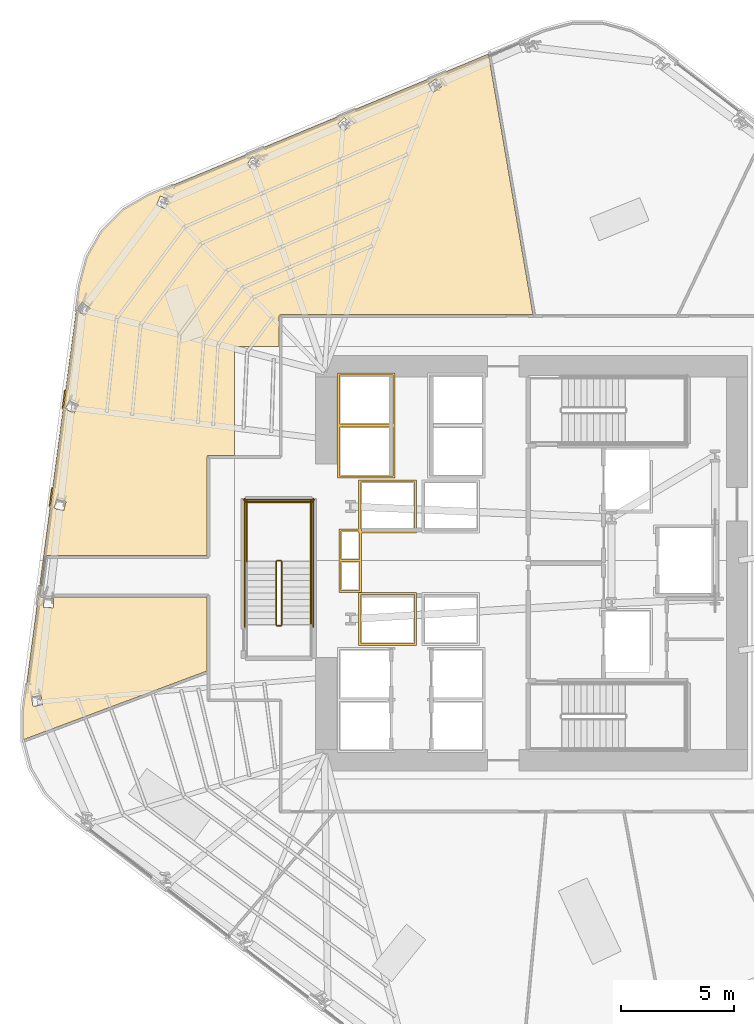
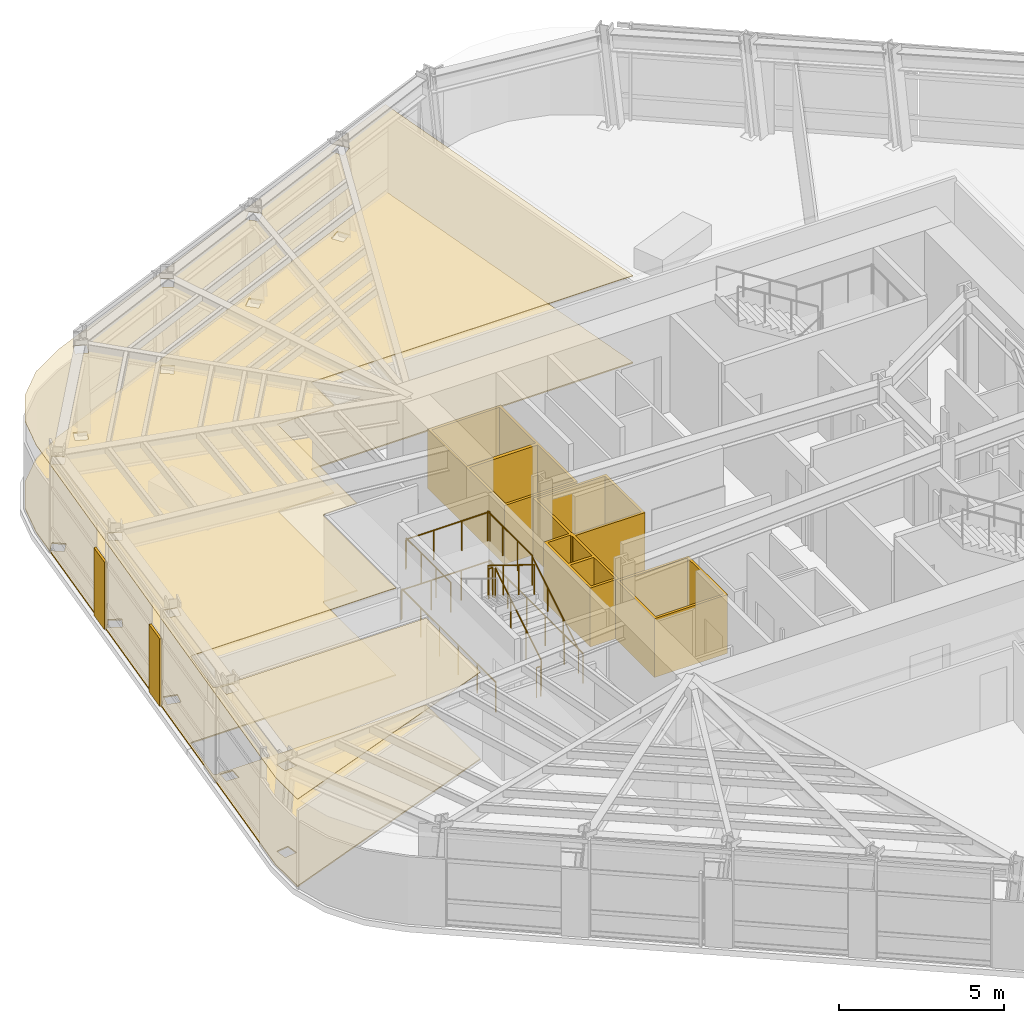
# One storey, part 13 of 18: 11 railings, 7 coverings.
"""IFC4 building model written with IfcOpenShell, lengths in metres."""

from ifc_helpers import new_model, si_unit, direction, frame, origin, origin_2d, place, context, subcontext, project, spatial, polyline, circle, outline, extrude, material, layer, layer_set, type_object, element, save


model = new_model("IFC4")

# Units and contexts
model_context = context("Model", 3, precision=1e-05, world=origin(), true_north=direction((0.0, 1.0)))
body_context = subcontext(model_context, "Body", "Model", "MODEL_VIEW")
ifc_project = project(units=[si_unit("LENGTHUNIT", "METRE"), si_unit("AREAUNIT", "SQUARE_METRE"), si_unit("VOLUMEUNIT", "CUBIC_METRE"), si_unit("PLANEANGLEUNIT", "RADIAN"), si_unit("MASSUNIT", "GRAM", prefix="KILO")], contexts=[model_context])

# Site, building, storey
site_placement = place(None, origin())
site = spatial("IfcSite", under=ifc_project, at=site_placement, CompositionType="ELEMENT")
building_placement = place(site_placement, origin())
building = spatial("IfcBuilding", under=site, at=building_placement, Name="Valkerne Bourse Tower", CompositionType="ELEMENT")
storey_placement = place(building_placement, frame((0.0, 0.0, 120.0)))
storey = spatial("IfcBuildingStorey", under=building, at=storey_placement, Name="L30", CompositionType="ELEMENT", Elevation=120.0)

# Coverings
ifc_material_1 = material(Name="Mineral Fiber Acoustic Ceiling Tile", Category="acoustic")
ifc_layer_1 = layer(ifc_material_1, 0.02490234375)
ifc_layer_set_1 = layer_set([ifc_layer_1], Name="Mineral Fiber Acoustic Ceiling Tile")
covering_type_1 = type_object("IfcCoveringType", Name="COV-CEIL-ACT", PredefinedType="CEILING", material=ifc_layer_set_1)
covering_1_placement = place(storey_placement, frame((0.0, 0.0, 3.22998046875)))
element("IfcCovering", 1, at=covering_1_placement, inside=storey, type_object=covering_type_1, Name="L30 Suspended Ceiling 11", PredefinedType="CEILING", context=body_context, shape_type="SweptSolid", body=[
    extrude(outline(polyline([(26.7158203125, 39.21435546875), (27.059814453125, 40.498046875), (27.719482421875, 41.640869140625), (28.652587890625, 42.573974609375), (29.8037109375, 43.238525390625), (44.881591796875, 49.502685546875), (46.86181640625, 37.9189453125), (35.6494140625, 37.9189453125), (35.6083984375, 37.9052734375), (35.587890625, 37.8798828125), (35.5810546875, 37.8505859375), (35.5810546875, 36.5), (33.60009765625, 36.5), (33.60009765625, 31.6689453125), (32.449462890625, 31.6689453125), (32.419921875, 31.662109375), (32.39404296875, 31.640625), (32.381103515625, 31.6005859375), (32.381103515625, 27.218994140625), (25.2509765625, 27.218994140625), (25.20654296875, 27.202392578125), (25.18408203125, 27.163330078125), (24.957275390625, 25.45556640625), (24.969482421875, 25.41015625), (25.00927734375, 25.3828125), (25.135009765625, 25.383056640625), (25.1640625, 25.3984375), (25.181640625, 25.42529296875), (25.523193359375, 25.381103515625), (32.381103515625, 25.381103515625), (32.381103515625, 22.094970703125), (24.22265625, 19.042724609375), (24.21728515625, 19.06201171875), (24.21728515625, 20.39111328125), (26.7158203125, 39.21435546875)]), holes=[polyline([(25.01611328125, 21.000244140625), (25.01513671875, 21.00341796875), (24.58740234375, 20.94287109375), (24.64501953125, 20.53173828125), (24.64599609375, 20.528564453125), (25.07373046875, 20.589111328125), (25.01611328125, 21.000244140625)]), polyline([(25.5703125, 25.317138671875), (25.138671875, 25.338134765625), (25.1181640625, 24.92333984375), (25.118408203125, 24.920166015625), (25.550048828125, 24.8994140625), (25.570556640625, 25.314208984375), (25.5703125, 25.317138671875)]), polyline([(26.119140625, 29.61669921875), (26.11962890625, 29.619873046875), (25.701171875, 29.728271484375), (25.5966796875, 29.326171875), (25.59619140625, 29.3232421875), (26.0146484375, 29.21484375), (26.119140625, 29.61669921875)]), polyline([(26.657958984375, 33.916015625), (26.2705078125, 34.107421875), (26.086181640625, 33.735107421875), (26.085205078125, 33.732177734375), (26.472900390625, 33.541015625), (26.656982421875, 33.9130859375), (26.657958984375, 33.916015625)]), polyline([(27.183837890625, 38.21337890625), (26.839111328125, 38.47412109375), (26.58837890625, 38.143310546875), (26.5869140625, 38.140380859375), (26.931396484375, 37.8798828125), (27.18212890625, 38.210693359375), (27.183837890625, 38.21337890625)]), polyline([(30.69091796875, 43.03173828125), (30.304931640625, 43.1884765625), (30.302490234375, 43.18603515625), (30.14208984375, 42.78662109375), (30.528076171875, 42.6298828125), (30.530517578125, 42.63232421875), (30.69091796875, 43.03173828125)]), polyline([(34.502685546875, 44.34716796875), (34.735595703125, 44.70947265625), (34.3857421875, 44.935791015625), (34.383056640625, 44.93408203125), (34.150146484375, 44.57177734375), (34.5, 44.345458984375), (34.502685546875, 44.34716796875)]), polyline([(38.468017578125, 46.07275390625), (38.77001953125, 46.3798828125), (38.473388671875, 46.6728515625), (38.470703125, 46.671630859375), (38.168701171875, 46.3642578125), (38.46533203125, 46.071533203125), (38.468017578125, 46.07275390625)]), polyline([(42.79150390625, 48.05029296875), (42.560791015625, 48.397216796875), (42.557861328125, 48.396484375), (42.19970703125, 48.156982421875), (42.430419921875, 47.81005859375), (42.43359375, 47.810791015625), (42.79150390625, 48.05029296875)])]), origin(), (0.0, 0.0, 1.0), 0.02490234375),
])
ifc_material_2 = material(Name="Bronze Anodised Aluminium AA 6063-T6", Category="aluminium")
ifc_layer_2 = layer(ifc_material_2, 0.06005859375)
ifc_layer_set_2 = layer_set([ifc_layer_2], Name="Bronze Anodised Aluminium AA 6063-T6")
covering_type_2 = type_object("IfcCoveringType", Name="COV-CRN-ALUM", PredefinedType="CLADDING", material=ifc_layer_set_2)
covering_2_placement = place(storey_placement, origin())
element("IfcCovering", 2, at=covering_2_placement, inside=storey, type_object=covering_type_2, Name="L30 Wind-Shaped Corner Aluminium Cladding 11", PredefinedType="CLADDING", context=body_context, shape_type="SweptSolid", body=[
    extrude(outline(polyline([(25.47900390625, 30.230712890625), (25.558349609375, 30.22021484375), (25.44775390625, 29.387451171875), (25.368408203125, 29.39794921875), (25.47900390625, 30.230712890625)])), origin(), (0.0, 0.0, 1.0), 2.5),
])
covering_3_placement = place(storey_placement, origin())
element("IfcCovering", 3, at=covering_3_placement, inside=storey, type_object=covering_type_2, Name="L30 Wind-Shaped Corner Aluminium Cladding 12", PredefinedType="CLADDING", context=body_context, shape_type="SweptSolid", body=[
    extrude(outline(polyline([(26.0556640625, 34.575439453125), (26.135009765625, 34.56494140625), (26.0244140625, 33.732421875), (25.9453125, 33.742919921875), (26.0556640625, 34.575439453125)])), origin(), (0.0, 0.0, 1.0), 2.5),
])
ifc_material_3 = material(Name="Galvanised Painted Steel", Category="steel")
ifc_layer_3 = layer(ifc_material_3, 0.044921875)
ifc_layer_set_3 = layer_set([ifc_layer_3], Name="Galvanised Painted Steel")
covering_type_3 = type_object("IfcCoveringType", Name="COV-FLR-RAF", PredefinedType="FLOORING", material=ifc_layer_set_3)
covering_4_placement = place(storey_placement, origin())
element("IfcCovering", 4, at=covering_4_placement, inside=storey, type_object=covering_type_3, Name="L30 Floor Finish 11", PredefinedType="FLOORING", context=body_context, shape_type="SweptSolid", body=[
    extrude(outline(polyline([(26.7158203125, 39.21435546875), (27.059814453125, 40.498046875), (27.719482421875, 41.640869140625), (28.652587890625, 42.573974609375), (29.8037109375, 43.238525390625), (44.881591796875, 49.502685546875), (46.86181640625, 37.9189453125), (35.6494140625, 37.9189453125), (35.6083984375, 37.9052734375), (35.587890625, 37.8798828125), (35.5810546875, 37.8505859375), (35.5810546875, 36.5), (33.60009765625, 36.5), (33.60009765625, 31.6689453125), (32.449462890625, 31.6689453125), (32.419921875, 31.662109375), (32.39404296875, 31.640625), (32.381103515625, 31.6005859375), (32.381103515625, 27.218994140625), (25.2509765625, 27.218994140625), (25.20654296875, 27.202392578125), (25.18408203125, 27.163330078125), (24.957275390625, 25.45556640625), (24.969482421875, 25.41015625), (25.00927734375, 25.3828125), (25.135009765625, 25.383056640625), (25.1640625, 25.3984375), (25.181640625, 25.42529296875), (25.523193359375, 25.381103515625), (32.381103515625, 25.381103515625), (32.381103515625, 22.094970703125), (24.22265625, 19.042724609375), (24.21728515625, 19.06201171875), (24.21728515625, 20.39111328125), (26.7158203125, 39.21435546875)]), holes=[polyline([(25.01611328125, 21.000244140625), (25.01513671875, 21.00341796875), (24.58740234375, 20.94287109375), (24.64501953125, 20.53173828125), (24.64599609375, 20.528564453125), (25.07373046875, 20.589111328125), (25.01611328125, 21.000244140625)]), polyline([(25.5703125, 25.317138671875), (25.138671875, 25.338134765625), (25.1181640625, 24.92333984375), (25.118408203125, 24.920166015625), (25.550048828125, 24.8994140625), (25.570556640625, 25.314208984375), (25.5703125, 25.317138671875)]), polyline([(26.119140625, 29.61669921875), (26.11962890625, 29.619873046875), (25.701171875, 29.728271484375), (25.5966796875, 29.326171875), (25.59619140625, 29.3232421875), (26.0146484375, 29.21484375), (26.119140625, 29.61669921875)]), polyline([(26.657958984375, 33.916015625), (26.2705078125, 34.107421875), (26.086181640625, 33.735107421875), (26.085205078125, 33.732177734375), (26.472900390625, 33.541015625), (26.656982421875, 33.9130859375), (26.657958984375, 33.916015625)]), polyline([(27.183837890625, 38.21337890625), (26.839111328125, 38.47412109375), (26.58837890625, 38.143310546875), (26.5869140625, 38.140380859375), (26.931396484375, 37.8798828125), (27.18212890625, 38.210693359375), (27.183837890625, 38.21337890625)]), polyline([(30.69091796875, 43.03173828125), (30.304931640625, 43.1884765625), (30.302490234375, 43.18603515625), (30.14208984375, 42.78662109375), (30.528076171875, 42.6298828125), (30.530517578125, 42.63232421875), (30.69091796875, 43.03173828125)]), polyline([(34.502685546875, 44.34716796875), (34.735595703125, 44.70947265625), (34.3857421875, 44.935791015625), (34.383056640625, 44.93408203125), (34.150146484375, 44.57177734375), (34.5, 44.345458984375), (34.502685546875, 44.34716796875)]), polyline([(38.468017578125, 46.07275390625), (38.77001953125, 46.3798828125), (38.473388671875, 46.6728515625), (38.470703125, 46.671630859375), (38.168701171875, 46.3642578125), (38.46533203125, 46.071533203125), (38.468017578125, 46.07275390625)]), polyline([(42.79150390625, 48.05029296875), (42.560791015625, 48.397216796875), (42.557861328125, 48.396484375), (42.19970703125, 48.156982421875), (42.430419921875, 47.81005859375), (42.43359375, 47.810791015625), (42.79150390625, 48.05029296875)])]), origin(), (0.0, 0.0, 1.0), 0.044921875),
])
ifc_material_4 = material(Name="Gypsum Shaftwall Liner Board", Category="gypsum")
ifc_layer_4 = layer(ifc_material_4, 0.080078125)
ifc_layer_set_4 = layer_set([ifc_layer_4], Name="Gypsum Shaftwall Liner Board")
covering_type_4 = type_object("IfcCoveringType", Name="COV-SHF-CLAD", PredefinedType="CLADDING", material=ifc_layer_set_4)
covering_5_placement = place(storey_placement, origin())
element("IfcCovering", 5, at=covering_5_placement, inside=storey, type_object=covering_type_4, Name="L30 Hoistway & Riser Shaftwall Liner 02", PredefinedType="CLADDING", context=body_context, shape_type="SweptSolid", body=[
    extrude(outline(polyline([(41.679931640625, 23.219970703125), (39.1201171875, 23.219970703125), (39.1201171875, 25.580078125), (41.679931640625, 25.580078125), (41.679931640625, 23.219970703125)]), holes=[polyline([(39.2099609375, 25.489990234375), (39.2099609375, 23.31005859375), (41.590087890625, 23.31005859375), (41.590087890625, 25.489990234375), (39.2099609375, 25.489990234375)])]), origin(), (0.0, 0.0, 1.0), 2.179931640625),
])
covering_6_placement = place(storey_placement, origin())
element("IfcCovering", 6, at=covering_6_placement, inside=storey, type_object=covering_type_4, Name="L30 Hoistway & Riser Shaftwall Liner 04", PredefinedType="CLADDING", context=body_context, shape_type="SweptSolid", body=[
    extrude(outline(polyline([(38.239990234375, 28.409912109375), (39.1201171875, 28.409912109375), (39.1201171875, 30.580078125), (41.679931640625, 30.580078125), (41.679931640625, 28.219970703125), (39.239990234375, 28.219970703125), (39.239990234375, 27.0400390625), (39.239990234375, 26.9599609375), (39.239990234375, 25.590087890625), (38.239990234375, 25.590087890625), (38.239990234375, 26.9599609375), (38.239990234375, 27.0400390625), (38.239990234375, 28.409912109375)]), holes=[polyline([(39.2099609375, 30.489990234375), (39.2099609375, 28.409912109375), (39.239990234375, 28.409912109375), (39.239990234375, 28.31005859375), (41.590087890625, 28.31005859375), (41.590087890625, 30.489990234375), (39.2099609375, 30.489990234375)]), polyline([(38.330078125, 26.949951171875), (38.330078125, 25.679931640625), (39.14990234375, 25.679931640625), (39.14990234375, 26.949951171875), (38.330078125, 26.949951171875)]), polyline([(39.1201171875, 28.219970703125), (39.1201171875, 28.320068359375), (38.330078125, 28.320068359375), (38.330078125, 27.050048828125), (39.14990234375, 27.050048828125), (39.14990234375, 28.219970703125), (39.1201171875, 28.219970703125)])]), origin(), (0.0, 0.0, 1.0), 2.179931640625),
])
covering_7_placement = place(storey_placement, origin())
element("IfcCovering", 7, at=covering_7_placement, inside=storey, type_object=covering_type_4, Name="L30 Hoistway & Riser Shaftwall Liner 05", PredefinedType="CLADDING", context=body_context, shape_type="SweptSolid", body=[
    extrude(outline(polyline([(38.169921875, 35.330078125), (40.72998046875, 35.330078125), (40.72998046875, 33.030029296875), (40.72998046875, 32.969970703125), (40.72998046875, 30.669921875), (38.169921875, 30.669921875), (38.169921875, 32.969970703125), (38.169921875, 33.030029296875), (38.169921875, 35.330078125)]), holes=[polyline([(38.260009765625, 32.93994140625), (38.260009765625, 30.760009765625), (40.639892578125, 30.760009765625), (40.639892578125, 32.93994140625), (38.260009765625, 32.93994140625)]), polyline([(38.260009765625, 35.239990234375), (38.260009765625, 33.06005859375), (40.639892578125, 33.06005859375), (40.639892578125, 35.239990234375), (38.260009765625, 35.239990234375)])]), origin(), (0.0, 0.0, 1.0), 2.179931640625),
])

# Railings
railing_type_1 = type_object("IfcRailingType", Name="RLG-ST-GUARD-1120", PredefinedType="GUARDRAIL", material=ifc_material_3)
railing_1_placement = place(storey_placement, frame((35.699951171875, 24.14990234375, 0.172607421875)))
element("IfcRailing", 8, at=railing_1_placement, inside=storey, type_object=railing_type_1, Name="L30 ST-3 stair guard 1", PredefinedType="GUARDRAIL", context=body_context, shape_type="SweptSolid", body=[
    extrude(circle(Radius=0.02392578125, at=origin_2d()), frame((0.0, 0.0, 1.09619140625), z_axis=(0.0, 0.851089632645, 0.525020415988), x_axis=(-1.0, 0.0, 0.0)), (0.0, 0.0, 1.0), 3.2900390625),
    extrude(circle(Radius=0.02099609375, at=origin_2d()), origin(), (0.0, 0.0, 1.0), 1.072021484375),
    extrude(circle(Radius=0.02099609375, at=origin_2d()), frame((0.0, 0.933349609375, 0.57568359375)), (0.0, 0.0, 1.0), 1.072021484375),
    extrude(circle(Radius=0.02099609375, at=origin_2d()), frame((0.0, 1.86669921875, 1.151611328125)), (0.0, 0.0, 1.0), 1.072021484375),
    extrude(circle(Radius=0.02099609375, at=origin_2d()), frame((0.0, 2.800048828125, 1.727294921875)), (0.0, 0.0, 1.0), 1.072021484375),
])
railing_2_placement = place(storey_placement, frame((35.64990234375, 27.0, 1.89990234375)))
element("IfcRailing", 9, at=railing_2_placement, inside=storey, type_object=railing_type_1, Name="L30 ST-3 stair guard 2", PredefinedType="GUARDRAIL", context=body_context, shape_type="SweptSolid", body=[
    extrude(circle(Radius=0.02392578125, at=origin_2d()), frame((0.0, 0.0, 1.09619140625), z_axis=(-1.0, 0.0, 0.0), x_axis=(0.0, -1.0, 0.0)), (0.0, 0.0, 1.0), 0.14990234375),
    extrude(circle(Radius=0.02099609375, at=origin_2d()), origin(), (0.0, 0.0, 1.0), 1.072021484375),
    extrude(circle(Radius=0.02099609375, at=origin_2d()), frame((-0.14990234375, 0.0, 0.0)), (0.0, 0.0, 1.0), 1.072021484375),
])
for number, where, name in (
    (10, (37.0, 26.949951171875, 1.89990234375), "L30 ST-3 stair guard 3"),
    (11, (34.14990234375, 26.949951171875, 1.89990234375), "L30 ST-3 stair guard 4"),
):
    element("IfcRailing", number, at=place(storey_placement, frame(where)), inside=storey, type_object=railing_type_1, Name=name, PredefinedType="GUARDRAIL", context=body_context, shape_type="SweptSolid", body=[
        extrude(circle(Radius=0.02392578125, at=origin_2d()), frame((0.0, 0.0, 1.09619140625), z_axis=(0.0, 1.0, 0.0), x_axis=(-1.0, 0.0, 0.0)), (0.0, 0.0, 1.0), 2.699951171875),
        extrude(circle(Radius=0.02099609375, at=origin_2d()), origin(), (0.0, 0.0, 1.0), 1.072021484375),
        extrude(circle(Radius=0.02099609375, at=origin_2d()), frame((0.0, 0.89990234375, 0.0)), (0.0, 0.0, 1.0), 1.072021484375),
        extrude(circle(Radius=0.02099609375, at=origin_2d()), frame((0.0, 1.800048828125, 0.0)), (0.0, 0.0, 1.0), 1.072021484375),
        extrude(circle(Radius=0.02099609375, at=origin_2d()), frame((0.0, 2.699951171875, 0.0)), (0.0, 0.0, 1.0), 1.072021484375),
    ])
railing_3_placement = place(storey_placement, frame((37.050048828125, 29.60009765625, 1.89990234375)))
element("IfcRailing", 12, at=railing_3_placement, inside=storey, type_object=railing_type_1, Name="L30 ST-3 stair guard 5", PredefinedType="GUARDRAIL", context=body_context, shape_type="SweptSolid", body=[
    extrude(circle(Radius=0.02392578125, at=origin_2d()), frame((0.0, 0.0, 1.09619140625), z_axis=(-1.0, 0.0, 0.0), x_axis=(0.0, -1.0, 0.0)), (0.0, 0.0, 1.0), 2.949951171875),
    extrude(circle(Radius=0.02099609375, at=origin_2d()), origin(), (0.0, 0.0, 1.0), 1.072021484375),
    extrude(circle(Radius=0.02099609375, at=origin_2d()), frame((-0.9833984375, 0.0, 0.0)), (0.0, 0.0, 1.0), 1.072021484375),
    extrude(circle(Radius=0.02099609375, at=origin_2d()), frame((-1.966552734375, 0.0, 0.0)), (0.0, 0.0, 1.0), 1.072021484375),
    extrude(circle(Radius=0.02099609375, at=origin_2d()), frame((-2.949951171875, 0.0, 0.0)), (0.0, 0.0, 1.0), 1.072021484375),
])
railing_4_placement = place(storey_placement, frame((35.449951171875, 26.949951171875, 2.07275390625)))
element("IfcRailing", 13, at=railing_4_placement, inside=storey, type_object=railing_type_1, Name="L30 ST-3 stair guard 6", PredefinedType="GUARDRAIL", context=body_context, shape_type="SweptSolid", body=[
    extrude(circle(Radius=0.02392578125, at=origin_2d()), frame((0.0, 0.0, 1.09619140625), z_axis=(0.0, -0.851089632645, 0.525020415988), x_axis=(1.0, 0.0, 0.0)), (0.0, 0.0, 1.0), 3.2900390625),
    extrude(circle(Radius=0.02099609375, at=origin_2d()), origin(), (0.0, 0.0, 1.0), 1.072021484375),
    extrude(circle(Radius=0.02099609375, at=origin_2d()), frame((0.0, -0.933349609375, 0.57568359375)), (0.0, 0.0, 1.0), 1.072021484375),
    extrude(circle(Radius=0.02099609375, at=origin_2d()), frame((0.0, -1.86669921875, 1.151611328125)), (0.0, 0.0, 1.0), 1.072021484375),
    extrude(circle(Radius=0.02099609375, at=origin_2d()), frame((0.0, -2.800048828125, 1.727294921875)), (0.0, 0.0, 1.0), 1.072021484375),
])
railing_5_placement = place(storey_placement, frame((35.64990234375, 24.10009765625, 0.0)))
element("IfcRailing", 14, at=railing_5_placement, inside=storey, type_object=railing_type_1, Name="L30 ST-3 stair guard 7", PredefinedType="GUARDRAIL", context=body_context, shape_type="SweptSolid", body=[
    extrude(circle(Radius=0.02392578125, at=origin_2d()), frame((0.0, 0.0, 1.09619140625), z_axis=(-1.0, 0.0, 0.0), x_axis=(0.0, -1.0, 0.0)), (0.0, 0.0, 1.0), 0.14990234375),
    extrude(circle(Radius=0.02099609375, at=origin_2d()), origin(), (0.0, 0.0, 1.0), 1.072021484375),
    extrude(circle(Radius=0.02099609375, at=origin_2d()), frame((-0.14990234375, 0.0, 0.0)), (0.0, 0.0, 1.0), 1.072021484375),
])
for number, where, name in (
    (15, (37.10009765625, 24.050048828125, 0.0), "L30 ST-3 stair guard 10"),
    (16, (34.050048828125, 24.050048828125, 0.0), "L30 ST-3 stair guard 11"),
):
    element("IfcRailing", number, at=place(storey_placement, frame(where)), inside=storey, type_object=railing_type_1, Name=name, PredefinedType="GUARDRAIL", context=body_context, shape_type="SweptSolid", body=[
        extrude(circle(Radius=0.02392578125, at=origin_2d()), frame((0.0, 0.0, 1.09619140625), z_axis=(0.0, 1.0, 0.0), x_axis=(-1.0, 0.0, 0.0)), (0.0, 0.0, 1.0), 5.699951171875),
        extrude(circle(Radius=0.02099609375, at=origin_2d()), origin(), (0.0, 0.0, 1.0), 1.072021484375),
        extrude(circle(Radius=0.02099609375, at=origin_2d()), frame((0.0, 1.139892578125, 0.0)), (0.0, 0.0, 1.0), 1.072021484375),
        extrude(circle(Radius=0.02099609375, at=origin_2d()), frame((0.0, 2.280029296875, 0.0)), (0.0, 0.0, 1.0), 1.072021484375),
        extrude(circle(Radius=0.02099609375, at=origin_2d()), frame((0.0, 3.419921875, 0.0)), (0.0, 0.0, 1.0), 1.072021484375),
        extrude(circle(Radius=0.02099609375, at=origin_2d()), frame((0.0, 4.56005859375, 0.0)), (0.0, 0.0, 1.0), 1.072021484375),
        extrude(circle(Radius=0.02099609375, at=origin_2d()), frame((0.0, 5.699951171875, 0.0)), (0.0, 0.0, 1.0), 1.072021484375),
    ])
railing_6_placement = place(storey_placement, frame((37.14990234375, 29.699951171875, 0.0)))
element("IfcRailing", 17, at=railing_6_placement, inside=storey, type_object=railing_type_1, Name="L30 ST-3 stair guard 12", PredefinedType="GUARDRAIL", context=body_context, shape_type="SweptSolid", body=[
    extrude(circle(Radius=0.02392578125, at=origin_2d()), frame((0.0, 0.0, 1.09619140625), z_axis=(-1.0, 0.0, 0.0), x_axis=(0.0, -1.0, 0.0)), (0.0, 0.0, 1.0), 3.14990234375),
    extrude(circle(Radius=0.02099609375, at=origin_2d()), origin(), (0.0, 0.0, 1.0), 1.072021484375),
    extrude(circle(Radius=0.02099609375, at=origin_2d()), frame((-1.050048828125, 0.0, 0.0)), (0.0, 0.0, 1.0), 1.072021484375),
    extrude(circle(Radius=0.02099609375, at=origin_2d()), frame((-2.099853515625, 0.0, 0.0)), (0.0, 0.0, 1.0), 1.072021484375),
    extrude(circle(Radius=0.02099609375, at=origin_2d()), frame((-3.14990234375, 0.0, 0.0)), (0.0, 0.0, 1.0), 1.072021484375),
])
ifc_material_5 = material(Name="Stainless Steel AISI 316", Category="steel")
railing_type_2 = type_object("IfcRailingType", Name="RLG-ST-HANDRAIL-900", PredefinedType="HANDRAIL", material=ifc_material_5)
railing_7_placement = place(storey_placement, frame((37.0, 24.14990234375, 0.345458984375)))
element("IfcRailing", 18, at=railing_7_placement, inside=storey, type_object=railing_type_2, Name="L30 ST-3 stair handrail 1", PredefinedType="HANDRAIL", context=body_context, shape_type="SweptSolid", body=[
    extrude(circle(Radius=0.02392578125, at=origin_2d()), frame((0.0, 0.0, 0.8759765625), z_axis=(0.0, 0.851089632645, 0.525020415988), x_axis=(-1.0, 0.0, 0.0)), (0.0, 0.0, 1.0), 3.2900390625),
    extrude(circle(Radius=0.02099609375, at=origin_2d()), origin(), (0.0, 0.0, 1.0), 0.851806640625),
    extrude(circle(Radius=0.02099609375, at=origin_2d()), frame((0.0, 0.933349609375, 0.57568359375)), (0.0, 0.0, 1.0), 0.851806640625),
    extrude(circle(Radius=0.02099609375, at=origin_2d()), frame((0.0, 1.86669921875, 1.151611328125)), (0.0, 0.0, 1.0), 0.851806640625),
    extrude(circle(Radius=0.02099609375, at=origin_2d()), frame((0.0, 2.800048828125, 1.727294921875)), (0.0, 0.0, 1.0), 0.851806640625),
])

save(model, "model.ifc")
